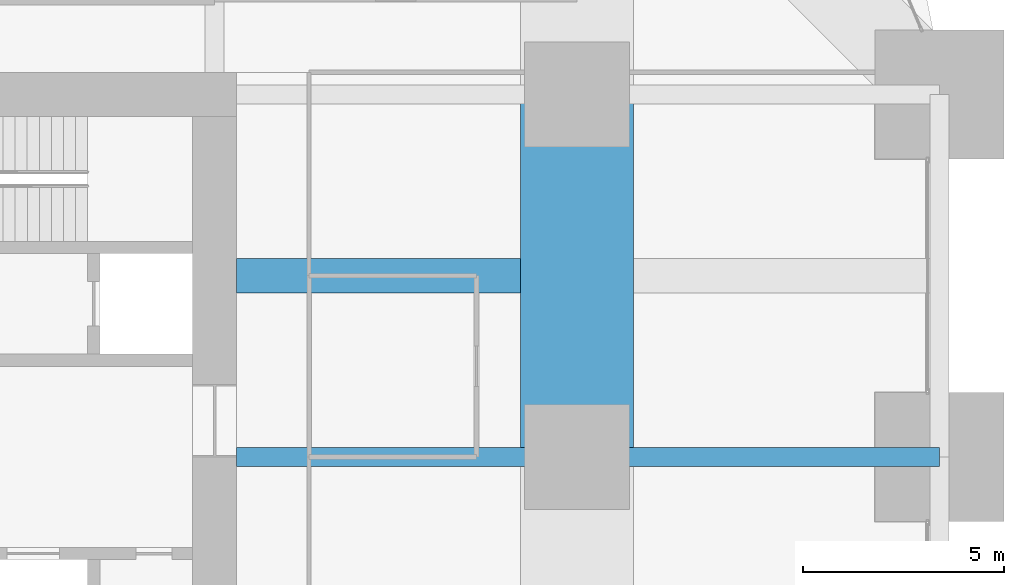
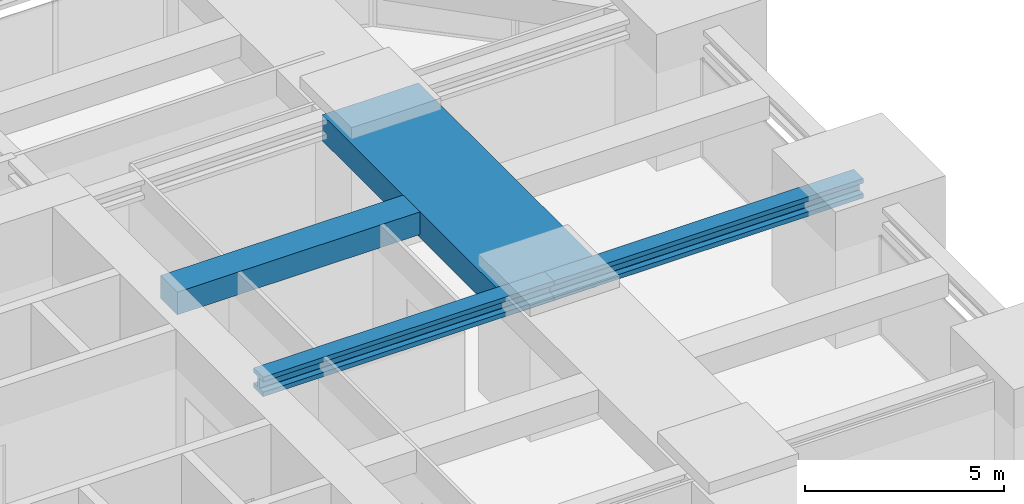
# One storey, part 25 of 45: 4 beams.
"""IFC4 building model written with IfcOpenShell, lengths in metres."""

from ifc_helpers import new_model, si_unit, direction, frame, origin, origin_2d, place, context, subcontext, project, spatial, rectangle, i_section, extrude, material, material_profile, profile_set, type_object, element, save


model = new_model("IFC4")

# Units and contexts
model_context = context("Model", 3, precision=1e-05, world=origin(), true_north=direction((0.0, 1.0)))
body_context = subcontext(model_context, "Body", "Model", "MODEL_VIEW")
ifc_project = project(units=[si_unit("LENGTHUNIT", "METRE"), si_unit("AREAUNIT", "SQUARE_METRE"), si_unit("VOLUMEUNIT", "CUBIC_METRE"), si_unit("PLANEANGLEUNIT", "RADIAN"), si_unit("MASSUNIT", "GRAM", prefix="KILO")], contexts=[model_context])

# Site, building, storey
site_placement = place(None, origin())
site = spatial("IfcSite", under=ifc_project, at=site_placement, CompositionType="ELEMENT")
building_placement = place(site_placement, origin())
building = spatial("IfcBuilding", under=site, at=building_placement, Name="Zorevar Civic Tower", CompositionType="ELEMENT")
storey_placement = place(building_placement, frame((0.0, 0.0, 153.0)))
storey = spatial("IfcBuildingStorey", under=building, at=storey_placement, Name="L37", CompositionType="ELEMENT", Elevation=153.0)

# Beams
ifc_material_1 = material(Name="Concrete C50/60", Category="concrete")
ifc_material_profile_1 = material_profile(ifc_material_1, rectangle(XDim=2.800048828125, YDim=0.800048828125, at=origin_2d()), Name="RC 2800x800")
ifc_profile_set_1 = profile_set([ifc_material_profile_1], Name="Concrete C50/60")
beam_type_1 = type_object("IfcBeamType", Name="Beam RC 2800x800", PredefinedType="BEAM", material=ifc_profile_set_1)
beam_1_placement = place(storey_placement, frame((54.0, 27.0, 3.449951171875), z_axis=(0.0, 1.0, 0.0), x_axis=(-1.0, 0.0, 0.0)))
element("IfcBeam", 1, at=beam_1_placement, inside=storey, type_object=beam_type_1, Name="Girder L38", PredefinedType="BEAM", context=body_context, shape_type="SweptSolid", body=[
    extrude(rectangle(XDim=2.800048828125, YDim=0.800048828125, at=origin_2d()), origin(), (0.0, 0.0, 1.0), 9.0),
])
ifc_material_2 = material(Name="Concrete C50/60", Category="concrete")
ifc_material_profile_2 = material_profile(ifc_material_2, rectangle(XDim=0.85009765625, YDim=0.699951171875, at=origin_2d()), Name="RC 850x700")
ifc_profile_set_2 = profile_set([ifc_material_profile_2], Name="Concrete C50/60")
beam_type_2 = type_object("IfcBeamType", Name="Beam RC 850x700", PredefinedType="BEAM", material=ifc_profile_set_2)
beam_2_placement = place(storey_placement, frame((45.550048828125, 31.5, 3.5), z_axis=(1.0, 0.0, 0.0), x_axis=(0.0, 1.0, 0.0)))
element("IfcBeam", 2, at=beam_2_placement, inside=storey, type_object=beam_type_2, Name="Secondary beam L38", PredefinedType="BEAM", context=body_context, shape_type="SweptSolid", body=[
    extrude(rectangle(XDim=0.85009765625, YDim=0.699951171875, at=origin_2d()), origin(), (0.0, 0.0, 1.0), 7.050048828125),
])
ifc_material_3 = material(Name="Steel S460M (HISTAR 460)", Category="steel")
ifc_material_profile_3 = material_profile(ifc_material_3, i_section(OverallWidth=0.47607421875, OverallDepth=0.60009765625, WebThickness=0.10009765625, FlangeThickness=0.139892578125, FilletRadius=0.014892578125, at=origin_2d()), Name="HD 400x1299")
ifc_profile_set_3 = profile_set([ifc_material_profile_3], Name="Steel S460M (HISTAR 460)")
beam_type_3 = type_object("IfcBeamType", Name="Outrigger chord HD 400x1299", PredefinedType="BEAM", material=ifc_profile_set_3)
beam_3_placement = place(storey_placement, frame((45.550048828125, 27.0, 3.550048828125), z_axis=(1.0, 0.0, 0.0), x_axis=(0.0, 1.0, 0.0)))
element("IfcBeam", 3, at=beam_3_placement, inside=storey, type_object=beam_type_3, Name="Outrigger chord L38", PredefinedType="BEAM", context=body_context, shape_type="SweptSolid", body=[
    extrude(i_section(OverallWidth=0.47607421875, OverallDepth=0.60009765625, WebThickness=0.10009765625, FlangeThickness=0.139892578125, FilletRadius=0.014892578125, at=origin_2d()), origin(), (0.0, 0.0, 1.0), 8.449951171875),
])
beam_4_placement = place(storey_placement, frame((54.0, 27.0, 3.550048828125), z_axis=(1.0, 0.0, 0.0), x_axis=(0.0, 1.0, 0.0)))
element("IfcBeam", 4, at=beam_4_placement, inside=storey, type_object=beam_type_3, Name="Outrigger chord L38", PredefinedType="BEAM", context=body_context, shape_type="SweptSolid", body=[
    extrude(i_section(OverallWidth=0.47607421875, OverallDepth=0.60009765625, WebThickness=0.10009765625, FlangeThickness=0.139892578125, FilletRadius=0.014892578125, at=origin_2d()), origin(), (0.0, 0.0, 1.0), 9.0),
])

save(model, "model.ifc")
